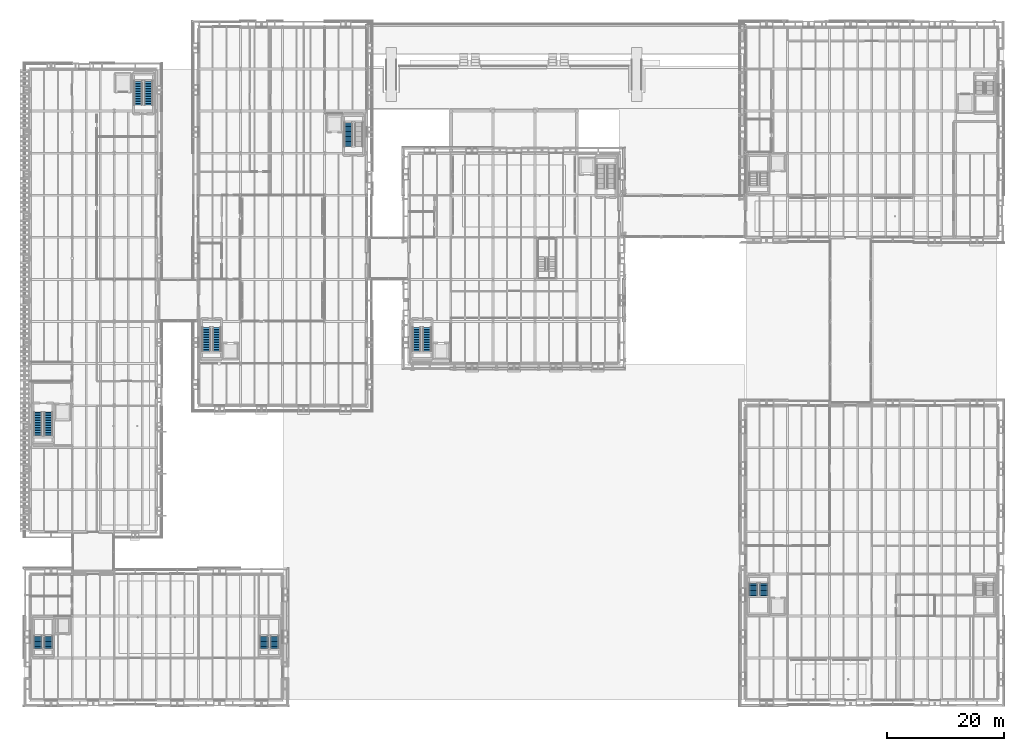
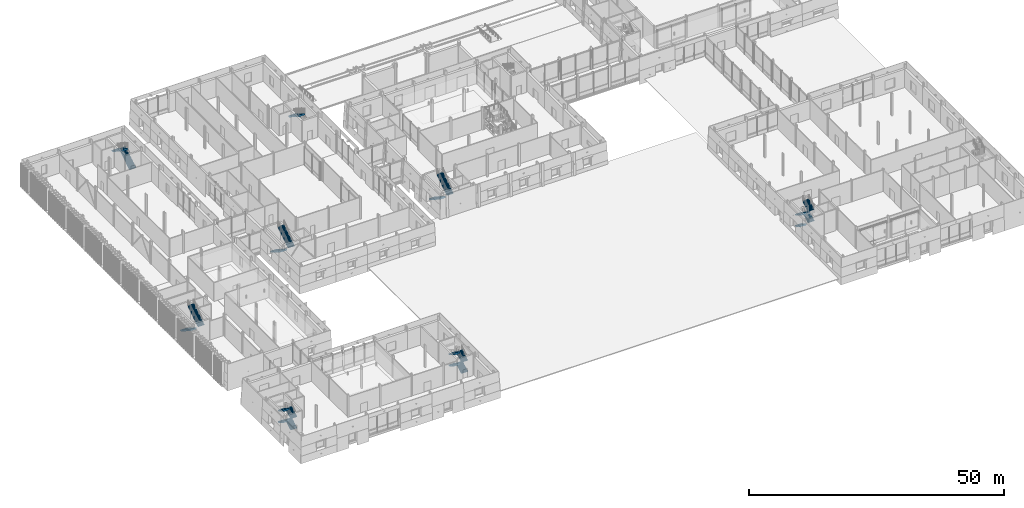
# One storey, part 83 of 120: 21 stair flights, 8 elements without a shape of their own.
"""IFC4 building model written with IfcOpenShell, lengths in metres."""

from ifc_helpers import new_model, si_unit, direction, frame, origin, place, context, subcontext, project, spatial, polyline, outline, extrude, material, type_object, element, aggregate, save


model = new_model("IFC4")

# Units and contexts
model_context = context("Model", 3, precision=1e-05, world=origin(), true_north=direction((0.0, 1.0)))
body_context = subcontext(model_context, "Body", "Model", "MODEL_VIEW")
ifc_project = project(units=[si_unit("LENGTHUNIT", "METRE"), si_unit("AREAUNIT", "SQUARE_METRE"), si_unit("VOLUMEUNIT", "CUBIC_METRE"), si_unit("PLANEANGLEUNIT", "RADIAN"), si_unit("MASSUNIT", "GRAM", prefix="KILO")], contexts=[model_context])

# Site, building, storey
site_placement = place(None, origin())
site = spatial("IfcSite", under=ifc_project, at=site_placement, CompositionType="ELEMENT")
building_placement = place(site_placement, origin())
building = spatial("IfcBuilding", under=site, at=building_placement, Name="Narikvali Park Central Library", CompositionType="ELEMENT")
storey_placement = place(building_placement, origin())
storey = spatial("IfcBuildingStorey", under=building, at=storey_placement, Name="L00", CompositionType="ELEMENT", Elevation=0.0)

# Stair, stair flights
ifc_material_1 = material(Name="Concrete C35/45", Category="concrete")
stair_type = type_object("IfcStairType", Name="Core Enclosed Two-Flight Exit Stair", PredefinedType="HALF_TURN_STAIR", material=ifc_material_1)
stair_1_placement = place(storey_placement, origin())
stair_1 = element("IfcStair", 1, at=stair_1_placement, inside=storey, type_object=stair_type, Name="L00 Exit Stair ST-01", PredefinedType="HALF_TURN_STAIR")
ifc_material_2 = material(Name="Precast concrete C40/50", Category="concrete")
stair_flight_type = type_object("IfcStairFlightType", Name="Precast Concrete Stair Flight 1420", PredefinedType="STRAIGHT", material=ifc_material_2)
stair_flight_1_placement = place(storey_placement, frame((66.159912109375, 63.75, 0.0), z_axis=(0.0, 0.0, 1.0), x_axis=(0.0, -1.0, 0.0)))
stair_flight_1 = element("IfcStairFlight", 2, at=stair_flight_1_placement, type_object=stair_flight_type, Name="ST-01 flight 1", NumberOfRisers=15, NumberOfTreads=14, PredefinedType="STRAIGHT", RiserHeight=0.18, TreadLength=0.285, context=body_context, shape_type="SweptSolid", body=[
    extrude(outline(polyline([(-0.0400390625, -0.02490234375), (-0.0400390625, 0.0), (0.0, 0.0), (0.0, 0.179931640625), (0.284912109375, 0.179931640625), (0.284912109375, 0.360107421875), (0.570068359375, 0.360107421875), (0.570068359375, 0.5400390625), (0.85498046875, 0.5400390625), (0.85498046875, 0.719970703125), (1.139892578125, 0.719970703125), (1.139892578125, 0.89990234375), (1.425048828125, 0.89990234375), (1.425048828125, 1.080078125), (1.7099609375, 1.080078125), (1.7099609375, 1.260009765625), (1.9951171875, 1.260009765625), (1.9951171875, 1.43994140625), (2.280029296875, 1.43994140625), (2.280029296875, 1.6201171875), (2.56494140625, 1.6201171875), (2.56494140625, 1.800048828125), (2.85009765625, 1.800048828125), (2.85009765625, 1.97998046875), (3.135009765625, 1.97998046875), (3.135009765625, 2.159912109375), (3.419921875, 2.159912109375), (3.419921875, 2.340087890625), (3.705078125, 2.340087890625), (3.705078125, 2.52001953125), (3.989990234375, 2.52001953125), (3.989990234375, 2.699951171875), (4.034912109375, 2.699951171875), (4.034912109375, 2.30712890625), (3.989990234375, 2.30712890625), (0.3369140625, -0.02490234375), (-0.0400390625, -0.02490234375)])), frame((0.0, 0.7099609375, 0.0), z_axis=(0.0, -1.0, 0.0), x_axis=(1.0, 0.0, 0.0)), (0.0, 0.0, 1.0), 1.419921875),
])
stair_flight_2_placement = place(storey_placement, frame((67.93994140625, 59.760009765625, 2.699951171875), z_axis=(0.0, 0.0, 1.0), x_axis=(0.0, 1.0, 0.0)))
stair_flight_2 = element("IfcStairFlight", 3, at=stair_flight_2_placement, type_object=stair_flight_type, Name="ST-01 flight 2", NumberOfRisers=15, NumberOfTreads=14, PredefinedType="STRAIGHT", RiserHeight=0.18, TreadLength=0.285, context=body_context, shape_type="SweptSolid", body=[
    extrude(outline(polyline([(-0.0400390625, -0.02490234375), (-0.0400390625, 0.0), (0.0, 0.0), (0.0, 0.179931640625), (0.284912109375, 0.179931640625), (0.284912109375, 0.360107421875), (0.570068359375, 0.360107421875), (0.570068359375, 0.5400390625), (0.85498046875, 0.5400390625), (0.85498046875, 0.719970703125), (1.139892578125, 0.719970703125), (1.139892578125, 0.89990234375), (1.425048828125, 0.89990234375), (1.425048828125, 1.080078125), (1.7099609375, 1.080078125), (1.7099609375, 1.260009765625), (1.9951171875, 1.260009765625), (1.9951171875, 1.43994140625), (2.280029296875, 1.43994140625), (2.280029296875, 1.6201171875), (2.56494140625, 1.6201171875), (2.56494140625, 1.800048828125), (2.85009765625, 1.800048828125), (2.85009765625, 1.97998046875), (3.135009765625, 1.97998046875), (3.135009765625, 2.159912109375), (3.419921875, 2.159912109375), (3.419921875, 2.340087890625), (3.705078125, 2.340087890625), (3.705078125, 2.52001953125), (3.989990234375, 2.52001953125), (3.989990234375, 2.699951171875), (4.034912109375, 2.699951171875), (4.034912109375, 2.30712890625), (3.989990234375, 2.30712890625), (0.3369140625, -0.02490234375), (-0.0400390625, -0.02490234375)])), frame((0.0, 0.7099609375, 0.0), z_axis=(0.0, -1.0, 0.0), x_axis=(1.0, 0.0, 0.0)), (0.0, 0.0, 1.0), 1.419921875),
])
aggregate(stair_1, [stair_flight_1, stair_flight_2])

stair_2_placement = place(storey_placement, origin())
stair_2 = element("IfcStair", 4, at=stair_2_placement, inside=storey, type_object=stair_type, Name="L00 Exit Stair ST-03", PredefinedType="HALF_TURN_STAIR")
stair_flight_3_placement = place(storey_placement, frame((3.139892578125, 8.89990234375, 0.0), z_axis=(0.0, 0.0, 1.0), x_axis=(0.0, 1.0, 0.0)))
stair_flight_3 = element("IfcStairFlight", 5, at=stair_flight_3_placement, type_object=stair_flight_type, Name="ST-03 flight 1", NumberOfRisers=8, NumberOfTreads=7, PredefinedType="STRAIGHT", RiserHeight=0.16875, TreadLength=0.285, context=body_context, shape_type="SweptSolid", body=[
    extrude(outline(polyline([(-0.0400390625, -0.02490234375), (-0.0400390625, 0.0), (0.0, 0.0), (0.0, 0.168701171875), (0.284912109375, 0.168701171875), (0.284912109375, 0.33740234375), (0.570068359375, 0.33740234375), (0.570068359375, 0.50634765625), (0.85498046875, 0.50634765625), (0.85498046875, 0.675048828125), (1.139892578125, 0.675048828125), (1.139892578125, 0.84375), (1.425048828125, 0.84375), (1.425048828125, 1.012451171875), (1.7099609375, 1.012451171875), (1.7099609375, 1.18115234375), (1.9951171875, 1.18115234375), (1.9951171875, 1.35009765625), (2.0400390625, 1.35009765625), (2.0400390625, 0.97216796875), (1.9951171875, 0.97216796875), (0.353271484375, -0.02490234375), (-0.0400390625, -0.02490234375)])), frame((0.0, 0.7099609375, 0.0), z_axis=(0.0, -1.0, 0.0), x_axis=(1.0, 0.0, 0.0)), (0.0, 0.0, 1.0), 1.419921875),
])
stair_flight_4_placement = place(storey_placement, frame((1.360107421875, 10.89501953125, 1.35009765625), z_axis=(0.0, 0.0, 1.0), x_axis=(0.0, -1.0, 0.0)))
stair_flight_4 = element("IfcStairFlight", 6, at=stair_flight_4_placement, type_object=stair_flight_type, Name="ST-03 flight 2", NumberOfRisers=8, NumberOfTreads=7, PredefinedType="STRAIGHT", RiserHeight=0.16875, TreadLength=0.285, context=body_context, shape_type="SweptSolid", body=[
    extrude(outline(polyline([(-0.0400390625, -0.02490234375), (-0.0400390625, 0.0), (0.0, 0.0), (0.0, 0.168701171875), (0.284912109375, 0.168701171875), (0.284912109375, 0.33740234375), (0.570068359375, 0.33740234375), (0.570068359375, 0.50634765625), (0.85498046875, 0.50634765625), (0.85498046875, 0.675048828125), (1.139892578125, 0.675048828125), (1.139892578125, 0.84375), (1.425048828125, 0.84375), (1.425048828125, 1.012451171875), (1.7099609375, 1.012451171875), (1.7099609375, 1.18115234375), (1.9951171875, 1.18115234375), (1.9951171875, 1.35009765625), (2.0400390625, 1.35009765625), (2.0400390625, 0.97216796875), (1.9951171875, 0.97216796875), (0.353271484375, -0.02490234375), (-0.0400390625, -0.02490234375)])), frame((0.0, 0.7099609375, 0.0), z_axis=(0.0, -1.0, 0.0), x_axis=(1.0, 0.0, 0.0)), (0.0, 0.0, 1.0), 1.419921875),
])
stair_flight_5_placement = place(storey_placement, frame((3.139892578125, 8.89990234375, 2.699951171875), z_axis=(0.0, 0.0, 1.0), x_axis=(0.0, 1.0, 0.0)))
stair_flight_5 = element("IfcStairFlight", 7, at=stair_flight_5_placement, type_object=stair_flight_type, Name="ST-03 flight 3", NumberOfRisers=8, NumberOfTreads=7, PredefinedType="STRAIGHT", RiserHeight=0.16875, TreadLength=0.285, context=body_context, shape_type="SweptSolid", body=[
    extrude(outline(polyline([(-0.0400390625, -0.02490234375), (-0.0400390625, 0.0), (0.0, 0.0), (0.0, 0.168701171875), (0.284912109375, 0.168701171875), (0.284912109375, 0.33740234375), (0.570068359375, 0.33740234375), (0.570068359375, 0.50634765625), (0.85498046875, 0.50634765625), (0.85498046875, 0.675048828125), (1.139892578125, 0.675048828125), (1.139892578125, 0.84375), (1.425048828125, 0.84375), (1.425048828125, 1.012451171875), (1.7099609375, 1.012451171875), (1.7099609375, 1.18115234375), (1.9951171875, 1.18115234375), (1.9951171875, 1.35009765625), (2.0400390625, 1.35009765625), (2.0400390625, 0.97216796875), (1.9951171875, 0.97216796875), (0.353271484375, -0.02490234375), (-0.0400390625, -0.02490234375)])), frame((0.0, 0.7099609375, 0.0), z_axis=(0.0, -1.0, 0.0), x_axis=(1.0, 0.0, 0.0)), (0.0, 0.0, 1.0), 1.419921875),
])
stair_flight_6_placement = place(storey_placement, frame((1.360107421875, 10.89501953125, 4.050048828125), z_axis=(0.0, 0.0, 1.0), x_axis=(0.0, -1.0, 0.0)))
stair_flight_6 = element("IfcStairFlight", 8, at=stair_flight_6_placement, type_object=stair_flight_type, Name="ST-03 flight 4", NumberOfRisers=8, NumberOfTreads=7, PredefinedType="STRAIGHT", RiserHeight=0.16875, TreadLength=0.285, context=body_context, shape_type="SweptSolid", body=[
    extrude(outline(polyline([(-0.0400390625, -0.02490234375), (-0.0400390625, 0.0), (0.0, 0.0), (0.0, 0.168701171875), (0.284912109375, 0.168701171875), (0.284912109375, 0.33740234375), (0.570068359375, 0.33740234375), (0.570068359375, 0.50634765625), (0.85498046875, 0.50634765625), (0.85498046875, 0.675048828125), (1.139892578125, 0.675048828125), (1.139892578125, 0.84375), (1.425048828125, 0.84375), (1.425048828125, 1.012451171875), (1.7099609375, 1.012451171875), (1.7099609375, 1.18115234375), (1.9951171875, 1.18115234375), (1.9951171875, 1.35009765625), (2.0400390625, 1.35009765625), (2.0400390625, 0.97216796875), (1.9951171875, 0.97216796875), (0.353271484375, -0.02490234375), (-0.0400390625, -0.02490234375)])), frame((0.0, 0.7099609375, 0.0), z_axis=(0.0, -1.0, 0.0), x_axis=(1.0, 0.0, 0.0)), (0.0, 0.0, 1.0), 1.419921875),
])
aggregate(stair_2, [stair_flight_3, stair_flight_4, stair_flight_5, stair_flight_6])

stair_3_placement = place(storey_placement, origin())
stair_3 = element("IfcStair", 9, at=stair_3_placement, inside=storey, type_object=stair_type, Name="L00 Exit Stair ST-04", PredefinedType="HALF_TURN_STAIR")
stair_flight_7_placement = place(storey_placement, frame((41.840087890625, 8.89990234375, 0.0), z_axis=(0.0, 0.0, 1.0), x_axis=(0.0, 1.0, 0.0)))
stair_flight_7 = element("IfcStairFlight", 10, at=stair_flight_7_placement, type_object=stair_flight_type, Name="ST-04 flight 1", NumberOfRisers=8, NumberOfTreads=7, PredefinedType="STRAIGHT", RiserHeight=0.16875, TreadLength=0.285, context=body_context, shape_type="SweptSolid", body=[
    extrude(outline(polyline([(-0.0400390625, -0.02490234375), (-0.0400390625, 0.0), (0.0, 0.0), (0.0, 0.168701171875), (0.284912109375, 0.168701171875), (0.284912109375, 0.33740234375), (0.570068359375, 0.33740234375), (0.570068359375, 0.50634765625), (0.85498046875, 0.50634765625), (0.85498046875, 0.675048828125), (1.139892578125, 0.675048828125), (1.139892578125, 0.84375), (1.425048828125, 0.84375), (1.425048828125, 1.012451171875), (1.7099609375, 1.012451171875), (1.7099609375, 1.18115234375), (1.9951171875, 1.18115234375), (1.9951171875, 1.35009765625), (2.0400390625, 1.35009765625), (2.0400390625, 0.97216796875), (1.9951171875, 0.97216796875), (0.353271484375, -0.02490234375), (-0.0400390625, -0.02490234375)])), frame((0.0, 0.7099609375, 0.0), z_axis=(0.0, -1.0, 0.0), x_axis=(1.0, 0.0, 0.0)), (0.0, 0.0, 1.0), 1.419921875),
])
stair_flight_8_placement = place(storey_placement, frame((40.06005859375, 10.89501953125, 1.35009765625), z_axis=(0.0, 0.0, 1.0), x_axis=(0.0, -1.0, 0.0)))
stair_flight_8 = element("IfcStairFlight", 11, at=stair_flight_8_placement, type_object=stair_flight_type, Name="ST-04 flight 2", NumberOfRisers=8, NumberOfTreads=7, PredefinedType="STRAIGHT", RiserHeight=0.16875, TreadLength=0.285, context=body_context, shape_type="SweptSolid", body=[
    extrude(outline(polyline([(-0.0400390625, -0.02490234375), (-0.0400390625, 0.0), (0.0, 0.0), (0.0, 0.168701171875), (0.284912109375, 0.168701171875), (0.284912109375, 0.33740234375), (0.570068359375, 0.33740234375), (0.570068359375, 0.50634765625), (0.85498046875, 0.50634765625), (0.85498046875, 0.675048828125), (1.139892578125, 0.675048828125), (1.139892578125, 0.84375), (1.425048828125, 0.84375), (1.425048828125, 1.012451171875), (1.7099609375, 1.012451171875), (1.7099609375, 1.18115234375), (1.9951171875, 1.18115234375), (1.9951171875, 1.35009765625), (2.0400390625, 1.35009765625), (2.0400390625, 0.97216796875), (1.9951171875, 0.97216796875), (0.353271484375, -0.02490234375), (-0.0400390625, -0.02490234375)])), frame((0.0, 0.7099609375, 0.0), z_axis=(0.0, -1.0, 0.0), x_axis=(1.0, 0.0, 0.0)), (0.0, 0.0, 1.0), 1.419921875),
])
stair_flight_9_placement = place(storey_placement, frame((41.840087890625, 8.89990234375, 2.699951171875), z_axis=(0.0, 0.0, 1.0), x_axis=(0.0, 1.0, 0.0)))
stair_flight_9 = element("IfcStairFlight", 12, at=stair_flight_9_placement, type_object=stair_flight_type, Name="ST-04 flight 3", NumberOfRisers=8, NumberOfTreads=7, PredefinedType="STRAIGHT", RiserHeight=0.16875, TreadLength=0.285, context=body_context, shape_type="SweptSolid", body=[
    extrude(outline(polyline([(-0.0400390625, -0.02490234375), (-0.0400390625, 0.0), (0.0, 0.0), (0.0, 0.168701171875), (0.284912109375, 0.168701171875), (0.284912109375, 0.33740234375), (0.570068359375, 0.33740234375), (0.570068359375, 0.50634765625), (0.85498046875, 0.50634765625), (0.85498046875, 0.675048828125), (1.139892578125, 0.675048828125), (1.139892578125, 0.84375), (1.425048828125, 0.84375), (1.425048828125, 1.012451171875), (1.7099609375, 1.012451171875), (1.7099609375, 1.18115234375), (1.9951171875, 1.18115234375), (1.9951171875, 1.35009765625), (2.0400390625, 1.35009765625), (2.0400390625, 0.97216796875), (1.9951171875, 0.97216796875), (0.353271484375, -0.02490234375), (-0.0400390625, -0.02490234375)])), frame((0.0, 0.7099609375, 0.0), z_axis=(0.0, -1.0, 0.0), x_axis=(1.0, 0.0, 0.0)), (0.0, 0.0, 1.0), 1.419921875),
])
stair_flight_10_placement = place(storey_placement, frame((40.06005859375, 10.89501953125, 4.050048828125), z_axis=(0.0, 0.0, 1.0), x_axis=(0.0, -1.0, 0.0)))
stair_flight_10 = element("IfcStairFlight", 13, at=stair_flight_10_placement, type_object=stair_flight_type, Name="ST-04 flight 4", NumberOfRisers=8, NumberOfTreads=7, PredefinedType="STRAIGHT", RiserHeight=0.16875, TreadLength=0.285, context=body_context, shape_type="SweptSolid", body=[
    extrude(outline(polyline([(-0.0400390625, -0.02490234375), (-0.0400390625, 0.0), (0.0, 0.0), (0.0, 0.168701171875), (0.284912109375, 0.168701171875), (0.284912109375, 0.33740234375), (0.570068359375, 0.33740234375), (0.570068359375, 0.50634765625), (0.85498046875, 0.50634765625), (0.85498046875, 0.675048828125), (1.139892578125, 0.675048828125), (1.139892578125, 0.84375), (1.425048828125, 0.84375), (1.425048828125, 1.012451171875), (1.7099609375, 1.012451171875), (1.7099609375, 1.18115234375), (1.9951171875, 1.18115234375), (1.9951171875, 1.35009765625), (2.0400390625, 1.35009765625), (2.0400390625, 0.97216796875), (1.9951171875, 0.97216796875), (0.353271484375, -0.02490234375), (-0.0400390625, -0.02490234375)])), frame((0.0, 0.7099609375, 0.0), z_axis=(0.0, -1.0, 0.0), x_axis=(1.0, 0.0, 0.0)), (0.0, 0.0, 1.0), 1.419921875),
])
aggregate(stair_3, [stair_flight_7, stair_flight_8, stair_flight_9, stair_flight_10])

stair_4_placement = place(storey_placement, origin())
stair_4 = element("IfcStair", 14, at=stair_4_placement, inside=storey, type_object=stair_type, Name="L00 Exit Stair ST-07", PredefinedType="HALF_TURN_STAIR")
stair_flight_11_placement = place(storey_placement, frame((30.159912109375, 63.75, 0.0), z_axis=(0.0, 0.0, 1.0), x_axis=(0.0, -1.0, 0.0)))
stair_flight_11 = element("IfcStairFlight", 15, at=stair_flight_11_placement, type_object=stair_flight_type, Name="ST-07 flight 1", NumberOfRisers=15, NumberOfTreads=14, PredefinedType="STRAIGHT", RiserHeight=0.18, TreadLength=0.285, context=body_context, shape_type="SweptSolid", body=[
    extrude(outline(polyline([(-0.0400390625, -0.02490234375), (-0.0400390625, 0.0), (0.0, 0.0), (0.0, 0.179931640625), (0.284912109375, 0.179931640625), (0.284912109375, 0.360107421875), (0.570068359375, 0.360107421875), (0.570068359375, 0.5400390625), (0.85498046875, 0.5400390625), (0.85498046875, 0.719970703125), (1.139892578125, 0.719970703125), (1.139892578125, 0.89990234375), (1.425048828125, 0.89990234375), (1.425048828125, 1.080078125), (1.7099609375, 1.080078125), (1.7099609375, 1.260009765625), (1.9951171875, 1.260009765625), (1.9951171875, 1.43994140625), (2.280029296875, 1.43994140625), (2.280029296875, 1.6201171875), (2.56494140625, 1.6201171875), (2.56494140625, 1.800048828125), (2.85009765625, 1.800048828125), (2.85009765625, 1.97998046875), (3.135009765625, 1.97998046875), (3.135009765625, 2.159912109375), (3.419921875, 2.159912109375), (3.419921875, 2.340087890625), (3.705078125, 2.340087890625), (3.705078125, 2.52001953125), (3.989990234375, 2.52001953125), (3.989990234375, 2.699951171875), (4.034912109375, 2.699951171875), (4.034912109375, 2.30712890625), (3.989990234375, 2.30712890625), (0.3369140625, -0.02490234375), (-0.0400390625, -0.02490234375)])), frame((0.0, 0.7099609375, 0.0), z_axis=(0.0, -1.0, 0.0), x_axis=(1.0, 0.0, 0.0)), (0.0, 0.0, 1.0), 1.419921875),
])
stair_flight_12_placement = place(storey_placement, frame((31.93994140625, 59.760009765625, 2.699951171875), z_axis=(0.0, 0.0, 1.0), x_axis=(0.0, 1.0, 0.0)))
stair_flight_12 = element("IfcStairFlight", 16, at=stair_flight_12_placement, type_object=stair_flight_type, Name="ST-07 flight 2", NumberOfRisers=15, NumberOfTreads=14, PredefinedType="STRAIGHT", RiserHeight=0.18, TreadLength=0.285, context=body_context, shape_type="SweptSolid", body=[
    extrude(outline(polyline([(-0.0400390625, -0.02490234375), (-0.0400390625, 0.0), (0.0, 0.0), (0.0, 0.179931640625), (0.284912109375, 0.179931640625), (0.284912109375, 0.360107421875), (0.570068359375, 0.360107421875), (0.570068359375, 0.5400390625), (0.85498046875, 0.5400390625), (0.85498046875, 0.719970703125), (1.139892578125, 0.719970703125), (1.139892578125, 0.89990234375), (1.425048828125, 0.89990234375), (1.425048828125, 1.080078125), (1.7099609375, 1.080078125), (1.7099609375, 1.260009765625), (1.9951171875, 1.260009765625), (1.9951171875, 1.43994140625), (2.280029296875, 1.43994140625), (2.280029296875, 1.6201171875), (2.56494140625, 1.6201171875), (2.56494140625, 1.800048828125), (2.85009765625, 1.800048828125), (2.85009765625, 1.97998046875), (3.135009765625, 1.97998046875), (3.135009765625, 2.159912109375), (3.419921875, 2.159912109375), (3.419921875, 2.340087890625), (3.705078125, 2.340087890625), (3.705078125, 2.52001953125), (3.989990234375, 2.52001953125), (3.989990234375, 2.699951171875), (4.034912109375, 2.699951171875), (4.034912109375, 2.30712890625), (3.989990234375, 2.30712890625), (0.3369140625, -0.02490234375), (-0.0400390625, -0.02490234375)])), frame((0.0, 0.7099609375, 0.0), z_axis=(0.0, -1.0, 0.0), x_axis=(1.0, 0.0, 0.0)), (0.0, 0.0, 1.0), 1.419921875),
])
aggregate(stair_4, [stair_flight_11, stair_flight_12])

# Stair, stair flight
stair_5_placement = place(storey_placement, origin())
stair_5 = element("IfcStair", 17, at=stair_5_placement, inside=storey, type_object=stair_type, Name="L00 Exit Stair ST-08", PredefinedType="HALF_TURN_STAIR")
stair_flight_13_placement = place(storey_placement, frame((54.4599609375, 98.739990234375, 2.699951171875), z_axis=(0.0, 0.0, 1.0), x_axis=(0.0, -1.0, 0.0)))
stair_flight_13 = element("IfcStairFlight", 18, at=stair_flight_13_placement, type_object=stair_flight_type, Name="ST-08 flight 2", NumberOfRisers=15, NumberOfTreads=14, PredefinedType="STRAIGHT", RiserHeight=0.18, TreadLength=0.285, context=body_context, shape_type="SweptSolid", body=[
    extrude(outline(polyline([(-0.0400390625, -0.02490234375), (-0.0400390625, 0.0), (0.0, 0.0), (0.0, 0.179931640625), (0.284912109375, 0.179931640625), (0.284912109375, 0.360107421875), (0.570068359375, 0.360107421875), (0.570068359375, 0.5400390625), (0.85498046875, 0.5400390625), (0.85498046875, 0.719970703125), (1.139892578125, 0.719970703125), (1.139892578125, 0.89990234375), (1.425048828125, 0.89990234375), (1.425048828125, 1.080078125), (1.7099609375, 1.080078125), (1.7099609375, 1.260009765625), (1.9951171875, 1.260009765625), (1.9951171875, 1.43994140625), (2.280029296875, 1.43994140625), (2.280029296875, 1.6201171875), (2.56494140625, 1.6201171875), (2.56494140625, 1.800048828125), (2.85009765625, 1.800048828125), (2.85009765625, 1.97998046875), (3.135009765625, 1.97998046875), (3.135009765625, 2.159912109375), (3.419921875, 2.159912109375), (3.419921875, 2.340087890625), (3.705078125, 2.340087890625), (3.705078125, 2.52001953125), (3.989990234375, 2.52001953125), (3.989990234375, 2.699951171875), (4.034912109375, 2.699951171875), (4.034912109375, 2.30712890625), (3.989990234375, 2.30712890625), (0.3369140625, -0.02490234375), (-0.0400390625, -0.02490234375)])), frame((0.0, 0.7099609375, 0.0), z_axis=(0.0, -1.0, 0.0), x_axis=(1.0, 0.0, 0.0)), (0.0, 0.0, 1.0), 1.419921875),
])
aggregate(stair_5, [stair_flight_13])

# Stair, stair flights
stair_6_placement = place(storey_placement, origin())
stair_6 = element("IfcStair", 19, at=stair_6_placement, inside=storey, type_object=stair_type, Name="L00 Exit Stair ST-09", PredefinedType="HALF_TURN_STAIR")
stair_flight_14_placement = place(storey_placement, frame((1.360107421875, 49.25, 0.0), z_axis=(0.0, 0.0, 1.0), x_axis=(0.0, -1.0, 0.0)))
stair_flight_14 = element("IfcStairFlight", 20, at=stair_flight_14_placement, type_object=stair_flight_type, Name="ST-09 flight 1", NumberOfRisers=15, NumberOfTreads=14, PredefinedType="STRAIGHT", RiserHeight=0.18, TreadLength=0.285, context=body_context, shape_type="SweptSolid", body=[
    extrude(outline(polyline([(-0.0400390625, -0.02490234375), (-0.0400390625, 0.0), (0.0, 0.0), (0.0, 0.179931640625), (0.284912109375, 0.179931640625), (0.284912109375, 0.360107421875), (0.570068359375, 0.360107421875), (0.570068359375, 0.5400390625), (0.85498046875, 0.5400390625), (0.85498046875, 0.719970703125), (1.139892578125, 0.719970703125), (1.139892578125, 0.89990234375), (1.425048828125, 0.89990234375), (1.425048828125, 1.080078125), (1.7099609375, 1.080078125), (1.7099609375, 1.260009765625), (1.9951171875, 1.260009765625), (1.9951171875, 1.43994140625), (2.280029296875, 1.43994140625), (2.280029296875, 1.6201171875), (2.56494140625, 1.6201171875), (2.56494140625, 1.800048828125), (2.85009765625, 1.800048828125), (2.85009765625, 1.97998046875), (3.135009765625, 1.97998046875), (3.135009765625, 2.159912109375), (3.419921875, 2.159912109375), (3.419921875, 2.340087890625), (3.705078125, 2.340087890625), (3.705078125, 2.52001953125), (3.989990234375, 2.52001953125), (3.989990234375, 2.699951171875), (4.034912109375, 2.699951171875), (4.034912109375, 2.30712890625), (3.989990234375, 2.30712890625), (0.3369140625, -0.02490234375), (-0.0400390625, -0.02490234375)])), frame((0.0, 0.7099609375, 0.0), z_axis=(0.0, -1.0, 0.0), x_axis=(1.0, 0.0, 0.0)), (0.0, 0.0, 1.0), 1.419921875),
])
stair_flight_15_placement = place(storey_placement, frame((3.139892578125, 45.260009765625, 2.699951171875), z_axis=(0.0, 0.0, 1.0), x_axis=(0.0, 1.0, 0.0)))
stair_flight_15 = element("IfcStairFlight", 21, at=stair_flight_15_placement, type_object=stair_flight_type, Name="ST-09 flight 2", NumberOfRisers=15, NumberOfTreads=14, PredefinedType="STRAIGHT", RiserHeight=0.18, TreadLength=0.285, context=body_context, shape_type="SweptSolid", body=[
    extrude(outline(polyline([(-0.0400390625, -0.02490234375), (-0.0400390625, 0.0), (0.0, 0.0), (0.0, 0.179931640625), (0.284912109375, 0.179931640625), (0.284912109375, 0.360107421875), (0.570068359375, 0.360107421875), (0.570068359375, 0.5400390625), (0.85498046875, 0.5400390625), (0.85498046875, 0.719970703125), (1.139892578125, 0.719970703125), (1.139892578125, 0.89990234375), (1.425048828125, 0.89990234375), (1.425048828125, 1.080078125), (1.7099609375, 1.080078125), (1.7099609375, 1.260009765625), (1.9951171875, 1.260009765625), (1.9951171875, 1.43994140625), (2.280029296875, 1.43994140625), (2.280029296875, 1.6201171875), (2.56494140625, 1.6201171875), (2.56494140625, 1.800048828125), (2.85009765625, 1.800048828125), (2.85009765625, 1.97998046875), (3.135009765625, 1.97998046875), (3.135009765625, 2.159912109375), (3.419921875, 2.159912109375), (3.419921875, 2.340087890625), (3.705078125, 2.340087890625), (3.705078125, 2.52001953125), (3.989990234375, 2.52001953125), (3.989990234375, 2.699951171875), (4.034912109375, 2.699951171875), (4.034912109375, 2.30712890625), (3.989990234375, 2.30712890625), (0.3369140625, -0.02490234375), (-0.0400390625, -0.02490234375)])), frame((0.0, 0.7099609375, 0.0), z_axis=(0.0, -1.0, 0.0), x_axis=(1.0, 0.0, 0.0)), (0.0, 0.0, 1.0), 1.419921875),
])
aggregate(stair_6, [stair_flight_14, stair_flight_15])

stair_7_placement = place(storey_placement, origin())
stair_7 = element("IfcStair", 22, at=stair_7_placement, inside=storey, type_object=stair_type, Name="L00 Exit Stair ST-10", PredefinedType="HALF_TURN_STAIR")
stair_flight_16_placement = place(storey_placement, frame((20.2900390625, 101.85009765625, 0.0), z_axis=(0.0, 0.0, 1.0), x_axis=(0.0, 1.0, 0.0)))
stair_flight_16 = element("IfcStairFlight", 23, at=stair_flight_16_placement, type_object=stair_flight_type, Name="ST-10 flight 1", NumberOfRisers=15, NumberOfTreads=14, PredefinedType="STRAIGHT", RiserHeight=0.18, TreadLength=0.285, context=body_context, shape_type="SweptSolid", body=[
    extrude(outline(polyline([(-0.0400390625, -0.02490234375), (-0.0400390625, 0.0), (0.0, 0.0), (0.0, 0.179931640625), (0.284912109375, 0.179931640625), (0.284912109375, 0.360107421875), (0.570068359375, 0.360107421875), (0.570068359375, 0.5400390625), (0.85498046875, 0.5400390625), (0.85498046875, 0.719970703125), (1.139892578125, 0.719970703125), (1.139892578125, 0.89990234375), (1.425048828125, 0.89990234375), (1.425048828125, 1.080078125), (1.7099609375, 1.080078125), (1.7099609375, 1.260009765625), (1.9951171875, 1.260009765625), (1.9951171875, 1.43994140625), (2.280029296875, 1.43994140625), (2.280029296875, 1.6201171875), (2.56494140625, 1.6201171875), (2.56494140625, 1.800048828125), (2.85009765625, 1.800048828125), (2.85009765625, 1.97998046875), (3.135009765625, 1.97998046875), (3.135009765625, 2.159912109375), (3.419921875, 2.159912109375), (3.419921875, 2.340087890625), (3.705078125, 2.340087890625), (3.705078125, 2.52001953125), (3.989990234375, 2.52001953125), (3.989990234375, 2.699951171875), (4.034912109375, 2.699951171875), (4.034912109375, 2.30712890625), (3.989990234375, 2.30712890625), (0.3369140625, -0.02490234375), (-0.0400390625, -0.02490234375)])), frame((0.0, 0.7099609375, 0.0), z_axis=(0.0, -1.0, 0.0), x_axis=(1.0, 0.0, 0.0)), (0.0, 0.0, 1.0), 1.419921875),
])
stair_flight_17_placement = place(storey_placement, frame((18.510009765625, 105.840087890625, 2.699951171875), z_axis=(0.0, 0.0, 1.0), x_axis=(0.0, -1.0, 0.0)))
stair_flight_17 = element("IfcStairFlight", 24, at=stair_flight_17_placement, type_object=stair_flight_type, Name="ST-10 flight 2", NumberOfRisers=15, NumberOfTreads=14, PredefinedType="STRAIGHT", RiserHeight=0.18, TreadLength=0.285, context=body_context, shape_type="SweptSolid", body=[
    extrude(outline(polyline([(-0.0400390625, -0.02490234375), (-0.0400390625, 0.0), (0.0, 0.0), (0.0, 0.179931640625), (0.284912109375, 0.179931640625), (0.284912109375, 0.360107421875), (0.570068359375, 0.360107421875), (0.570068359375, 0.5400390625), (0.85498046875, 0.5400390625), (0.85498046875, 0.719970703125), (1.139892578125, 0.719970703125), (1.139892578125, 0.89990234375), (1.425048828125, 0.89990234375), (1.425048828125, 1.080078125), (1.7099609375, 1.080078125), (1.7099609375, 1.260009765625), (1.9951171875, 1.260009765625), (1.9951171875, 1.43994140625), (2.280029296875, 1.43994140625), (2.280029296875, 1.6201171875), (2.56494140625, 1.6201171875), (2.56494140625, 1.800048828125), (2.85009765625, 1.800048828125), (2.85009765625, 1.97998046875), (3.135009765625, 1.97998046875), (3.135009765625, 2.159912109375), (3.419921875, 2.159912109375), (3.419921875, 2.340087890625), (3.705078125, 2.340087890625), (3.705078125, 2.52001953125), (3.989990234375, 2.52001953125), (3.989990234375, 2.699951171875), (4.034912109375, 2.699951171875), (4.034912109375, 2.30712890625), (3.989990234375, 2.30712890625), (0.3369140625, -0.02490234375), (-0.0400390625, -0.02490234375)])), frame((0.0, 0.7099609375, 0.0), z_axis=(0.0, -1.0, 0.0), x_axis=(1.0, 0.0, 0.0)), (0.0, 0.0, 1.0), 1.419921875),
])
aggregate(stair_7, [stair_flight_16, stair_flight_17])

stair_8_placement = place(storey_placement, origin())
stair_8 = element("IfcStair", 25, at=stair_8_placement, inside=storey, type_object=stair_type, Name="L00 Exit Stair ST-11", PredefinedType="HALF_TURN_STAIR")
stair_flight_18_placement = place(storey_placement, frame((123.760009765625, 19.89990234375, 0.0), z_axis=(0.0, 0.0, 1.0), x_axis=(0.0, -1.0, 0.0)))
stair_flight_18 = element("IfcStairFlight", 26, at=stair_flight_18_placement, type_object=stair_flight_type, Name="ST-11 flight 1", NumberOfRisers=8, NumberOfTreads=7, PredefinedType="STRAIGHT", RiserHeight=0.16875, TreadLength=0.285, context=body_context, shape_type="SweptSolid", body=[
    extrude(outline(polyline([(-0.0400390625, -0.02490234375), (-0.0400390625, 0.0), (0.0, 0.0), (0.0, 0.168701171875), (0.284912109375, 0.168701171875), (0.284912109375, 0.33740234375), (0.570068359375, 0.33740234375), (0.570068359375, 0.50634765625), (0.85498046875, 0.50634765625), (0.85498046875, 0.675048828125), (1.139892578125, 0.675048828125), (1.139892578125, 0.84375), (1.425048828125, 0.84375), (1.425048828125, 1.012451171875), (1.7099609375, 1.012451171875), (1.7099609375, 1.18115234375), (1.9951171875, 1.18115234375), (1.9951171875, 1.35009765625), (2.0400390625, 1.35009765625), (2.0400390625, 0.97216796875), (1.9951171875, 0.97216796875), (0.353271484375, -0.02490234375), (-0.0400390625, -0.02490234375)])), frame((0.0, 0.7099609375, 0.0), z_axis=(0.0, -1.0, 0.0), x_axis=(1.0, 0.0, 0.0)), (0.0, 0.0, 1.0), 1.419921875),
])
stair_flight_19_placement = place(storey_placement, frame((125.5400390625, 17.905029296875, 1.35009765625), z_axis=(0.0, 0.0, 1.0), x_axis=(0.0, 1.0, 0.0)))
stair_flight_19 = element("IfcStairFlight", 27, at=stair_flight_19_placement, type_object=stair_flight_type, Name="ST-11 flight 2", NumberOfRisers=8, NumberOfTreads=7, PredefinedType="STRAIGHT", RiserHeight=0.16875, TreadLength=0.285, context=body_context, shape_type="SweptSolid", body=[
    extrude(outline(polyline([(-0.0400390625, -0.02490234375), (-0.0400390625, 0.0), (0.0, 0.0), (0.0, 0.168701171875), (0.284912109375, 0.168701171875), (0.284912109375, 0.33740234375), (0.570068359375, 0.33740234375), (0.570068359375, 0.50634765625), (0.85498046875, 0.50634765625), (0.85498046875, 0.675048828125), (1.139892578125, 0.675048828125), (1.139892578125, 0.84375), (1.425048828125, 0.84375), (1.425048828125, 1.012451171875), (1.7099609375, 1.012451171875), (1.7099609375, 1.18115234375), (1.9951171875, 1.18115234375), (1.9951171875, 1.35009765625), (2.0400390625, 1.35009765625), (2.0400390625, 0.97216796875), (1.9951171875, 0.97216796875), (0.353271484375, -0.02490234375), (-0.0400390625, -0.02490234375)])), frame((0.0, 0.7099609375, 0.0), z_axis=(0.0, -1.0, 0.0), x_axis=(1.0, 0.0, 0.0)), (0.0, 0.0, 1.0), 1.419921875),
])
stair_flight_20_placement = place(storey_placement, frame((123.760009765625, 19.89990234375, 2.699951171875), z_axis=(0.0, 0.0, 1.0), x_axis=(0.0, -1.0, 0.0)))
stair_flight_20 = element("IfcStairFlight", 28, at=stair_flight_20_placement, type_object=stair_flight_type, Name="ST-11 flight 3", NumberOfRisers=8, NumberOfTreads=7, PredefinedType="STRAIGHT", RiserHeight=0.16875, TreadLength=0.285, context=body_context, shape_type="SweptSolid", body=[
    extrude(outline(polyline([(-0.0400390625, -0.02490234375), (-0.0400390625, 0.0), (0.0, 0.0), (0.0, 0.168701171875), (0.284912109375, 0.168701171875), (0.284912109375, 0.33740234375), (0.570068359375, 0.33740234375), (0.570068359375, 0.50634765625), (0.85498046875, 0.50634765625), (0.85498046875, 0.675048828125), (1.139892578125, 0.675048828125), (1.139892578125, 0.84375), (1.425048828125, 0.84375), (1.425048828125, 1.012451171875), (1.7099609375, 1.012451171875), (1.7099609375, 1.18115234375), (1.9951171875, 1.18115234375), (1.9951171875, 1.35009765625), (2.0400390625, 1.35009765625), (2.0400390625, 0.97216796875), (1.9951171875, 0.97216796875), (0.353271484375, -0.02490234375), (-0.0400390625, -0.02490234375)])), frame((0.0, 0.7099609375, 0.0), z_axis=(0.0, -1.0, 0.0), x_axis=(1.0, 0.0, 0.0)), (0.0, 0.0, 1.0), 1.419921875),
])
stair_flight_21_placement = place(storey_placement, frame((125.5400390625, 17.905029296875, 4.050048828125), z_axis=(0.0, 0.0, 1.0), x_axis=(0.0, 1.0, 0.0)))
stair_flight_21 = element("IfcStairFlight", 29, at=stair_flight_21_placement, type_object=stair_flight_type, Name="ST-11 flight 4", NumberOfRisers=8, NumberOfTreads=7, PredefinedType="STRAIGHT", RiserHeight=0.16875, TreadLength=0.285, context=body_context, shape_type="SweptSolid", body=[
    extrude(outline(polyline([(-0.0400390625, -0.02490234375), (-0.0400390625, 0.0), (0.0, 0.0), (0.0, 0.168701171875), (0.284912109375, 0.168701171875), (0.284912109375, 0.33740234375), (0.570068359375, 0.33740234375), (0.570068359375, 0.50634765625), (0.85498046875, 0.50634765625), (0.85498046875, 0.675048828125), (1.139892578125, 0.675048828125), (1.139892578125, 0.84375), (1.425048828125, 0.84375), (1.425048828125, 1.012451171875), (1.7099609375, 1.012451171875), (1.7099609375, 1.18115234375), (1.9951171875, 1.18115234375), (1.9951171875, 1.35009765625), (2.0400390625, 1.35009765625), (2.0400390625, 0.97216796875), (1.9951171875, 0.97216796875), (0.353271484375, -0.02490234375), (-0.0400390625, -0.02490234375)])), frame((0.0, 0.7099609375, 0.0), z_axis=(0.0, -1.0, 0.0), x_axis=(1.0, 0.0, 0.0)), (0.0, 0.0, 1.0), 1.419921875),
])
aggregate(stair_8, [stair_flight_18, stair_flight_19, stair_flight_20, stair_flight_21])

save(model, "model.ifc")
